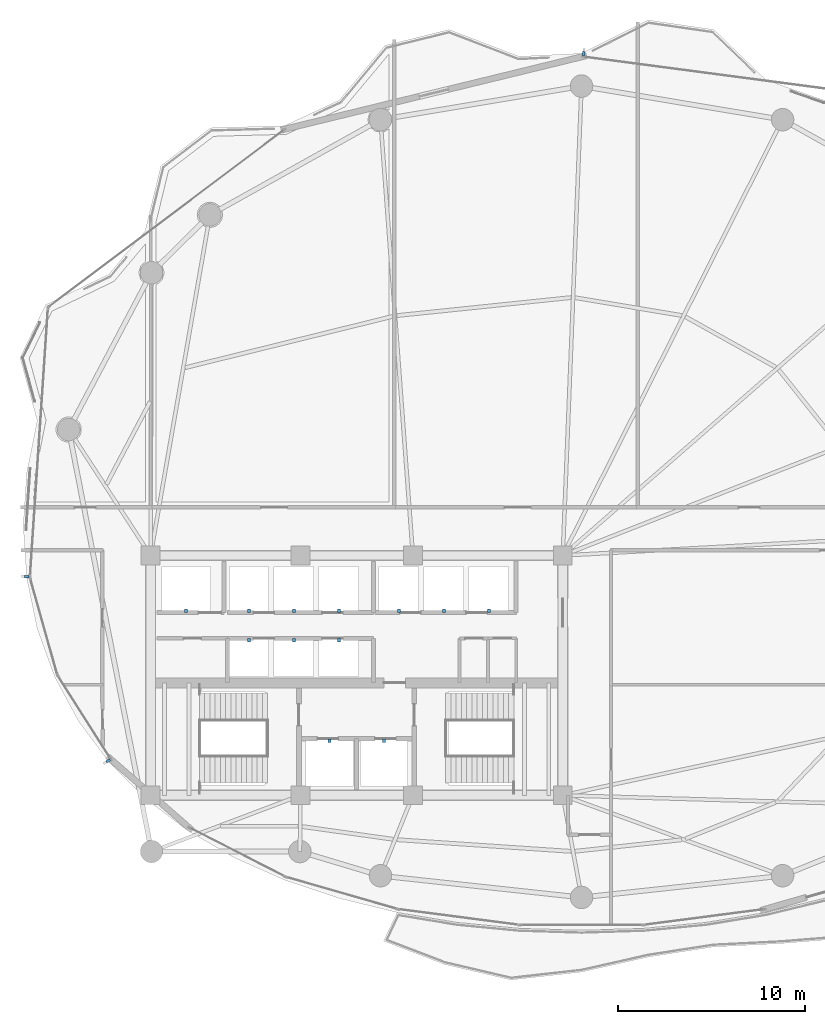
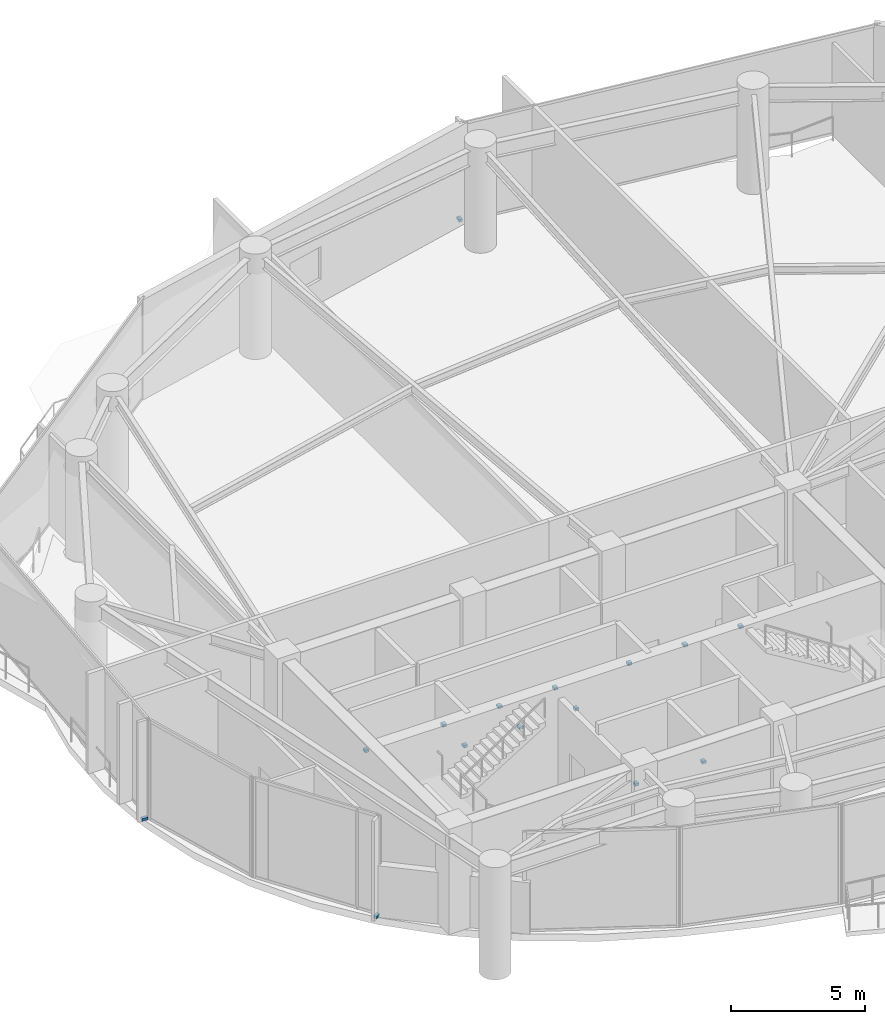
# One storey, part 27 of 30: 15 discrete accessories.
"""IFC4 building model written with IfcOpenShell, lengths in metres."""

from ifc_helpers import new_model, si_unit, direction, frame, origin, origin_2d, place, context, subcontext, project, spatial, rectangle, extrude, material, type_object, element, save


model = new_model("IFC4")

# Units and contexts
model_context = context("Model", 3, precision=1e-05, world=origin(), true_north=direction((0.0, 1.0)))
body_context = subcontext(model_context, "Body", "Model", "MODEL_VIEW")
ifc_project = project(units=[si_unit("LENGTHUNIT", "METRE"), si_unit("AREAUNIT", "SQUARE_METRE"), si_unit("VOLUMEUNIT", "CUBIC_METRE"), si_unit("PLANEANGLEUNIT", "RADIAN"), si_unit("MASSUNIT", "GRAM", prefix="KILO")], contexts=[model_context])

# Site, building, storey
site_placement = place(None, origin())
site = spatial("IfcSite", under=ifc_project, at=site_placement, CompositionType="ELEMENT")
building_placement = place(site_placement, origin())
building = spatial("IfcBuilding", under=site, at=building_placement, Name="Kazevale Care Tower and Concert Hall", CompositionType="ELEMENT")
storey_placement = place(building_placement, frame((0.0, 0.0, 97.800048828125)))
storey = spatial("IfcBuildingStorey", under=building, at=storey_placement, Name="L25", CompositionType="ELEMENT", Elevation=97.800048828125)

# Discrete accessories
ifc_material = material(Name="Stainless Steel 316", Category="steel")
discrete_accessory_type_1 = type_object("IfcDiscreteAccessoryType", Name="Facade Fin Stainless Anchor Bracket BRK-1", PredefinedType="BRACKET", material=ifc_material)
for number, where, z_axis, x_axis, name in (
    (1, (19.739013671875, 25.4443359375, 0.0), (0.0, 0.0, 1.0), (-0.843391445813, -0.537299608347, 0.0), "cw:L25:f11:brk"),
    (2, (15.39892578125, 35.273193359375, 0.0), (0.0, 0.0, 1.0), (-0.997778273548, 0.066622194773, 0.0), "cw:L25:f13:brk"),
    (3, (45.1044921875, 63.1708984375, 0.0), (0.0, 0.0, 1.0), (0.130872263805, 0.991399238736, 0.0), "cw:L25:f16:brk"),
):
    element("IfcDiscreteAccessory", number, at=place(storey_placement, frame(where, z_axis=z_axis, x_axis=x_axis)), inside=storey, type_object=discrete_accessory_type_1, Name=name, PredefinedType="BRACKET", context=body_context, shape_type="SweptSolid", body=[
        extrude(rectangle(XDim=0.239990234375, YDim=0.139892578125, at=origin_2d()), origin(), (0.0, 0.0, 1.0), 0.1201171875),
    ])
discrete_accessory_type_2 = type_object("IfcDiscreteAccessoryType", Name="Hoistway Guide-Rail Wall Bracket HBRK-1", PredefinedType="BRACKET", material=ifc_material)
for number, where, z_axis, x_axis, name in (
    (4, (31.550048828125, 26.52001953125, 1.239990234375), (0.0, 0.0, 1.0), (1.0, 0.0, 0.0), "hbrk:FFL-1:L25"),
    (5, (34.449951171875, 26.52001953125, 1.239990234375), (0.0, 0.0, 1.0), (1.0, 0.0, 0.0), "hbrk:FFL-2:L25"),
    (6, (23.89990234375, 33.449951171875, 1.239990234375), (0.0, 0.0, 1.0), (1.0, 0.0, 0.0), "hbrk:SVL-1:L25"),
    (7, (27.25, 33.449951171875, 1.239990234375), (0.0, 0.0, 1.0), (1.0, 0.0, 0.0), "hbrk:PL-1:L25"),
    (8, (29.64990234375, 33.449951171875, 1.239990234375), (0.0, 0.0, 1.0), (1.0, 0.0, 0.0), "hbrk:PL-2:L25"),
    (9, (32.050048828125, 33.449951171875, 1.239990234375), (0.0, 0.0, 1.0), (1.0, 0.0, 0.0), "hbrk:PL-3:L25"),
    (10, (35.25, 33.449951171875, 1.239990234375), (0.0, 0.0, 1.0), (1.0, 0.0, 0.0), "hbrk:PM-1:L25"),
    (11, (37.64990234375, 33.449951171875, 1.239990234375), (0.0, 0.0, 1.0), (1.0, 0.0, 0.0), "hbrk:PM-2:L25"),
    (12, (40.050048828125, 33.449951171875, 1.239990234375), (0.0, 0.0, 1.0), (1.0, 0.0, 0.0), "hbrk:PM-3:L25"),
    (13, (27.25, 31.8798828125, 1.239990234375), (0.0, 0.0, 1.0), (1.0, 0.0, 0.0), "hbrk:PH-1:L25"),
    (14, (29.64990234375, 31.8798828125, 1.239990234375), (0.0, 0.0, 1.0), (1.0, 0.0, 0.0), "hbrk:PH-2:L25"),
    (15, (32.050048828125, 31.8798828125, 1.239990234375), (0.0, 0.0, 1.0), (1.0, 0.0, 0.0), "hbrk:PH-3:L25"),
):
    element("IfcDiscreteAccessory", number, at=place(storey_placement, frame(where, z_axis=z_axis, x_axis=x_axis)), inside=storey, type_object=discrete_accessory_type_2, Name=name, PredefinedType="BRACKET", context=body_context, shape_type="SweptSolid", body=[
        extrude(rectangle(XDim=0.159912109375, YDim=0.179931640625, at=origin_2d()), origin(), (0.0, 0.0, 1.0), 0.1201171875),
    ])

save(model, "model.ifc")
